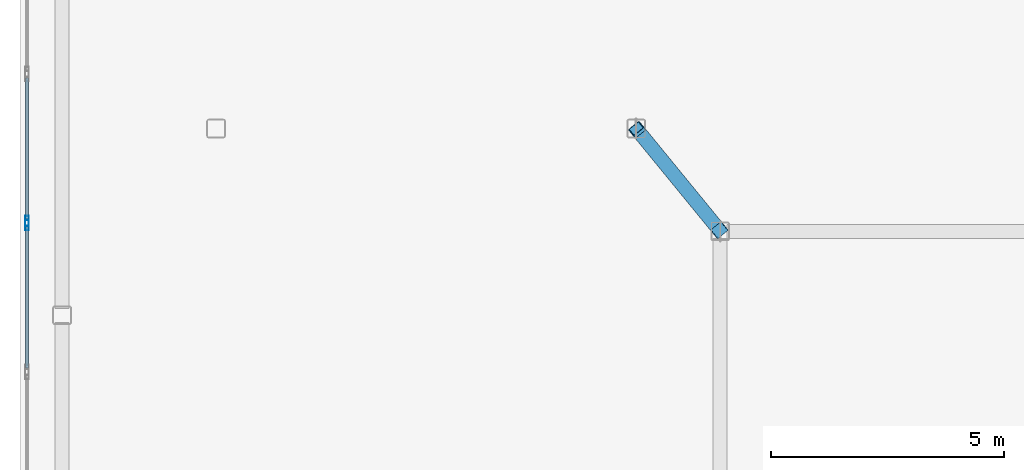
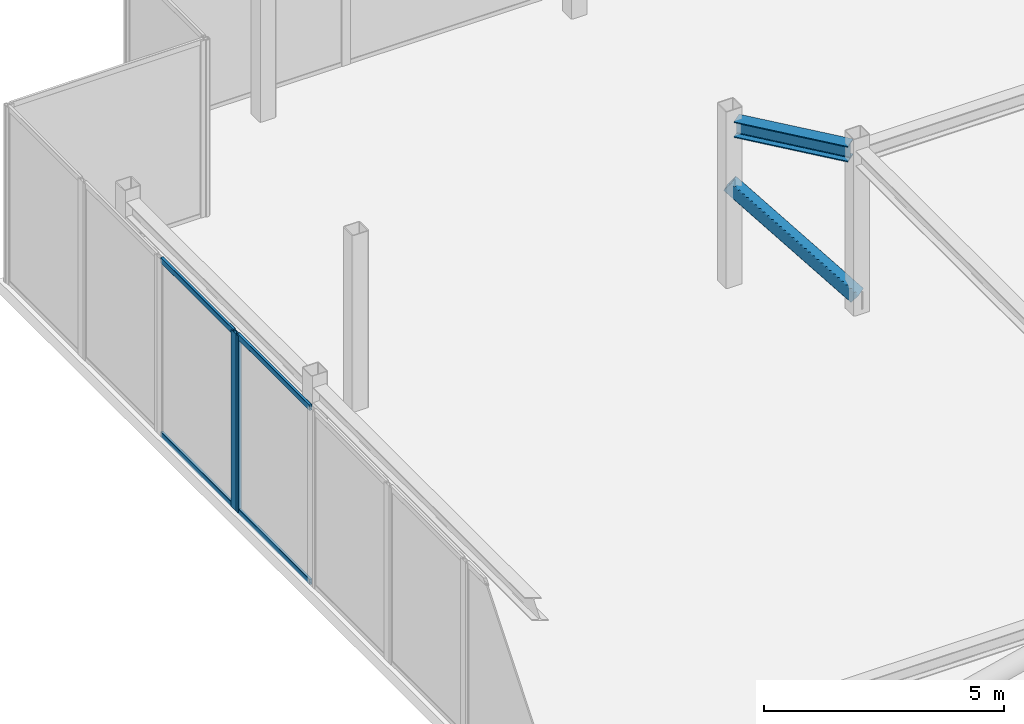
# One storey, part 6 of 16: 7 members, 1 beam, 2 elements without a shape of their own.
"""IFC4 building model written with IfcOpenShell, lengths in metres."""

from ifc_helpers import new_model, si_unit, direction, frame, origin, origin_2d, place, context, subcontext, project, spatial, hollow_rectangle, i_section, extrude, material, layer, layer_set, material_profile, profile_set, type_object, element, aggregate, save


model = new_model("IFC4")

# Units and contexts
model_context = context("Model", 3, precision=1e-05, world=origin(), true_north=direction((0.0, 1.0)))
body_context = subcontext(model_context, "Body", "Model", "MODEL_VIEW")
ifc_project = project(units=[si_unit("LENGTHUNIT", "METRE"), si_unit("AREAUNIT", "SQUARE_METRE"), si_unit("VOLUMEUNIT", "CUBIC_METRE"), si_unit("PLANEANGLEUNIT", "RADIAN"), si_unit("MASSUNIT", "GRAM", prefix="KILO")], contexts=[model_context])

# Site, building, storey
site_placement = place(None, origin())
site = spatial("IfcSite", under=ifc_project, at=site_placement, CompositionType="ELEMENT")
building_placement = place(site_placement, origin())
building = spatial("IfcBuilding", under=site, at=building_placement, Name="Tarnavaz Court Tower", CompositionType="ELEMENT")
storey_placement = place(building_placement, frame((0.0, 0.0, 290.550048828125)))
storey = spatial("IfcBuildingStorey", under=building, at=storey_placement, Name="C03", CompositionType="ELEMENT", Elevation=290.550048828125)

# Beam
ifc_material_1 = material(Name="Steel S355", Category="steel")
ifc_material_profile_1 = material_profile(ifc_material_1, i_section(OverallWidth=0.300048828125, OverallDepth=0.39990234375, WebThickness=0.013427734375, FlangeThickness=0.02392578125, FilletRadius=0.027099609375, at=origin_2d()), Name="HEB 400")
ifc_profile_set_1 = profile_set([ifc_material_profile_1], Name="Steel S355")
beam_type = type_object("IfcBeamType", Name="BM-G-HEB400", PredefinedType="USERDEFINED", material=ifc_profile_set_1)
beam_placement = place(storey_placement, frame((-9.5048828125, 9.8837890625, 4.0), z_axis=(0.633206414362, -0.773982969329, 0.0), x_axis=(0.773982969329, 0.633206414362, 0.0)))
element("IfcBeam", 1, at=beam_placement, inside=storey, type_object=beam_type, Name="C03 Beam CRG-CW-NI-IW-NW", ObjectType="GIRDER", PredefinedType="USERDEFINED", context=body_context, shape_type="SweptSolid", body=[
    extrude(i_section(OverallWidth=0.300048828125, OverallDepth=0.39990234375, WebThickness=0.013427734375, FlangeThickness=0.02392578125, FilletRadius=0.027099609375, at=origin_2d()), origin(), (0.0, 0.0, 1.0), 2.54248046875),
])

# Curtain wall, member
ifc_material_2 = material(Name="Anodised Aluminium 6063-T6 and Solar Low-E Glazing", Category="aluminium")
ifc_layer = layer(ifc_material_2, 0.2099609375)
ifc_layer_set = layer_set([ifc_layer], Name="Anodised Aluminium 6063-T6 and Solar Low-E Glazing")
curtain_wall_type = type_object("IfcCurtainWallType", Name="CW-SYS-06", PredefinedType="NOTDEFINED", material=ifc_layer_set)
curtain_wall_1_placement = place(storey_placement, origin())
curtain_wall_1 = element("IfcCurtainWall", 2, at=curtain_wall_1_placement, inside=storey, type_object=curtain_wall_type, Name="C03 Slanted Crown Terracotta Curtain Wall 11", PredefinedType="NOTDEFINED")
ifc_material_3 = material(Name="Anodised Aluminium 6063-T6", Category="aluminium")
ifc_material_profile_2 = material_profile(ifc_material_3, hollow_rectangle(XDim=0.0849609375, YDim=0.219970703125, WallThickness=0.006103515625, InnerFilletRadius=0.006103515625, OuterFilletRadius=0.011962890625, at=origin_2d()), Name="ALU RHS 220X85X6")
ifc_profile_set_2 = profile_set([ifc_material_profile_2], Name="Anodised Aluminium 6063-T6")
member_type_1 = type_object("IfcMemberType", Name="CW-MUL-220", PredefinedType="MULLION", material=ifc_profile_set_2)
member_1_placement = place(storey_placement, frame((-22.64990234375, 7.934814453125, 0.0), z_axis=(0.0, 0.0, 1.0), x_axis=(-1.0, 0.0, 0.0)))
member_1 = element("IfcMember", 3, at=member_1_placement, type_object=member_type_1, Name="CW mullion 2", PredefinedType="MULLION", context=body_context, shape_type="SweptSolid", body=[
    extrude(hollow_rectangle(XDim=0.0849609375, YDim=0.219970703125, WallThickness=0.006103515625, InnerFilletRadius=0.006103515625, OuterFilletRadius=0.011962890625, at=origin_2d()), origin(), (0.0, 0.0, 1.0), 4.5),
])

curtain_wall_2_placement = place(storey_placement, origin())
curtain_wall_2 = element("IfcCurtainWall", 4, at=curtain_wall_2_placement, inside=storey, type_object=curtain_wall_type, Name="C03 Slanted Crown Terracotta Curtain Wall 12", PredefinedType="NOTDEFINED")
member_2_placement = place(storey_placement, frame((-22.64990234375, 8.019775390625, 0.0), z_axis=(0.0, 0.0, 1.0), x_axis=(-1.0, 0.0, 0.0)))
member_2 = element("IfcMember", 5, at=member_2_placement, type_object=member_type_1, Name="CW mullion 1", PredefinedType="MULLION", context=body_context, shape_type="SweptSolid", body=[
    extrude(hollow_rectangle(XDim=0.0849609375, YDim=0.219970703125, WallThickness=0.006103515625, InnerFilletRadius=0.006103515625, OuterFilletRadius=0.011962890625, at=origin_2d()), origin(), (0.0, 0.0, 1.0), 4.5),
])

# Member
ifc_material_profile_3 = material_profile(ifc_material_3, hollow_rectangle(XDim=0.06494140625, YDim=0.139892578125, WallThickness=0.00390625, InnerFilletRadius=0.00390625, OuterFilletRadius=0.008056640625, at=origin_2d()), Name="ALU RHS 140X65X4")
ifc_profile_set_3 = profile_set([ifc_material_profile_3], Name="Anodised Aluminium 6063-T6")
member_type_2 = type_object("IfcMemberType", Name="CW-TRN-140", PredefinedType="USERDEFINED", material=ifc_profile_set_3)
member_3_placement = place(storey_placement, frame((-22.64990234375, 4.871337890625, 0.032470703125), z_axis=(0.0, 1.0, 0.0), x_axis=(-1.0, 0.0, 0.0)))
member_3 = element("IfcMember", 6, at=member_3_placement, type_object=member_type_2, Name="CW transom 1.1", ObjectType="TRANSOM", PredefinedType="USERDEFINED", context=body_context, shape_type="SweptSolid", body=[
    extrude(hollow_rectangle(XDim=0.06494140625, YDim=0.139892578125, WallThickness=0.00390625, InnerFilletRadius=0.00390625, OuterFilletRadius=0.008056640625, at=origin_2d()), origin(), (0.0, 0.0, 1.0), 3.02099609375),
])

member_4_placement = place(storey_placement, frame((-22.64990234375, 4.871337890625, 4.467529296875), z_axis=(0.0, 1.0, 0.0), x_axis=(-1.0, 0.0, 0.0)))
member_4 = element("IfcMember", 7, at=member_4_placement, type_object=member_type_2, Name="CW transom 1.2", ObjectType="TRANSOM", PredefinedType="USERDEFINED", context=body_context, shape_type="SweptSolid", body=[
    extrude(hollow_rectangle(XDim=0.06494140625, YDim=0.139892578125, WallThickness=0.00390625, InnerFilletRadius=0.00390625, OuterFilletRadius=0.008056640625, at=origin_2d()), origin(), (0.0, 0.0, 1.0), 3.02099609375),
])

aggregate(curtain_wall_1, [member_1, member_3, member_4])

member_5_placement = place(storey_placement, frame((-22.64990234375, 8.062255859375, 0.032470703125), z_axis=(0.0, 1.0, 0.0), x_axis=(-1.0, 0.0, 0.0)))
member_5 = element("IfcMember", 8, at=member_5_placement, type_object=member_type_2, Name="CW transom 1.1", ObjectType="TRANSOM", PredefinedType="USERDEFINED", context=body_context, shape_type="SweptSolid", body=[
    extrude(hollow_rectangle(XDim=0.06494140625, YDim=0.139892578125, WallThickness=0.00390625, InnerFilletRadius=0.00390625, OuterFilletRadius=0.008056640625, at=origin_2d()), origin(), (0.0, 0.0, 1.0), 3.02099609375),
])

member_6_placement = place(storey_placement, frame((-22.64990234375, 8.062255859375, 4.467529296875), z_axis=(0.0, 1.0, 0.0), x_axis=(-1.0, 0.0, 0.0)))
member_6 = element("IfcMember", 9, at=member_6_placement, type_object=member_type_2, Name="CW transom 1.2", ObjectType="TRANSOM", PredefinedType="USERDEFINED", context=body_context, shape_type="SweptSolid", body=[
    extrude(hollow_rectangle(XDim=0.06494140625, YDim=0.139892578125, WallThickness=0.00390625, InnerFilletRadius=0.00390625, OuterFilletRadius=0.008056640625, at=origin_2d()), origin(), (0.0, 0.0, 1.0), 3.02099609375),
])

aggregate(curtain_wall_2, [member_2, member_5, member_6])

ifc_material_profile_4 = material_profile(ifc_material_1, hollow_rectangle(XDim=0.300048828125, YDim=0.300048828125, WallThickness=0.01611328125, InnerFilletRadius=0.01611328125, OuterFilletRadius=0.031982421875, at=origin_2d()), Name="SHS 300X300X16")
ifc_profile_set_4 = profile_set([ifc_material_profile_4], Name="Steel S355")
member_type_3 = type_object("IfcMemberType", Name="MB-CR-SHS200", PredefinedType="USERDEFINED", material=ifc_profile_set_4)
member_7_placement = place(storey_placement, frame((-7.800048828125, 7.800048828125, 0.349853515625), z_axis=(-0.505044427904, 0.617246078916, 0.603272246922), x_axis=(-0.773941992102, -0.633256498476, 0.0)))
element("IfcMember", 10, at=member_7_placement, inside=storey, type_object=member_type_3, Name="C03 Crown Frame W Core Brace Strut", ObjectType="CROWN FRAME", PredefinedType="USERDEFINED", context=body_context, shape_type="SweptSolid", body=[
    extrude(hollow_rectangle(XDim=0.300048828125, YDim=0.300048828125, WallThickness=0.01611328125, InnerFilletRadius=0.01611328125, OuterFilletRadius=0.031982421875, at=origin_2d()), origin(), (0.0, 0.0, 1.0), 3.564208984375),
])

save(model, "model.ifc")
